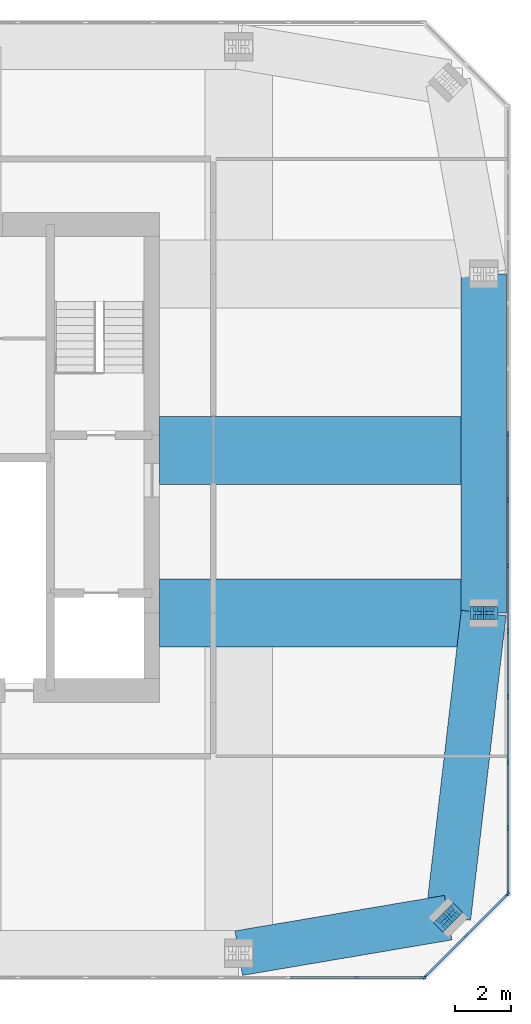
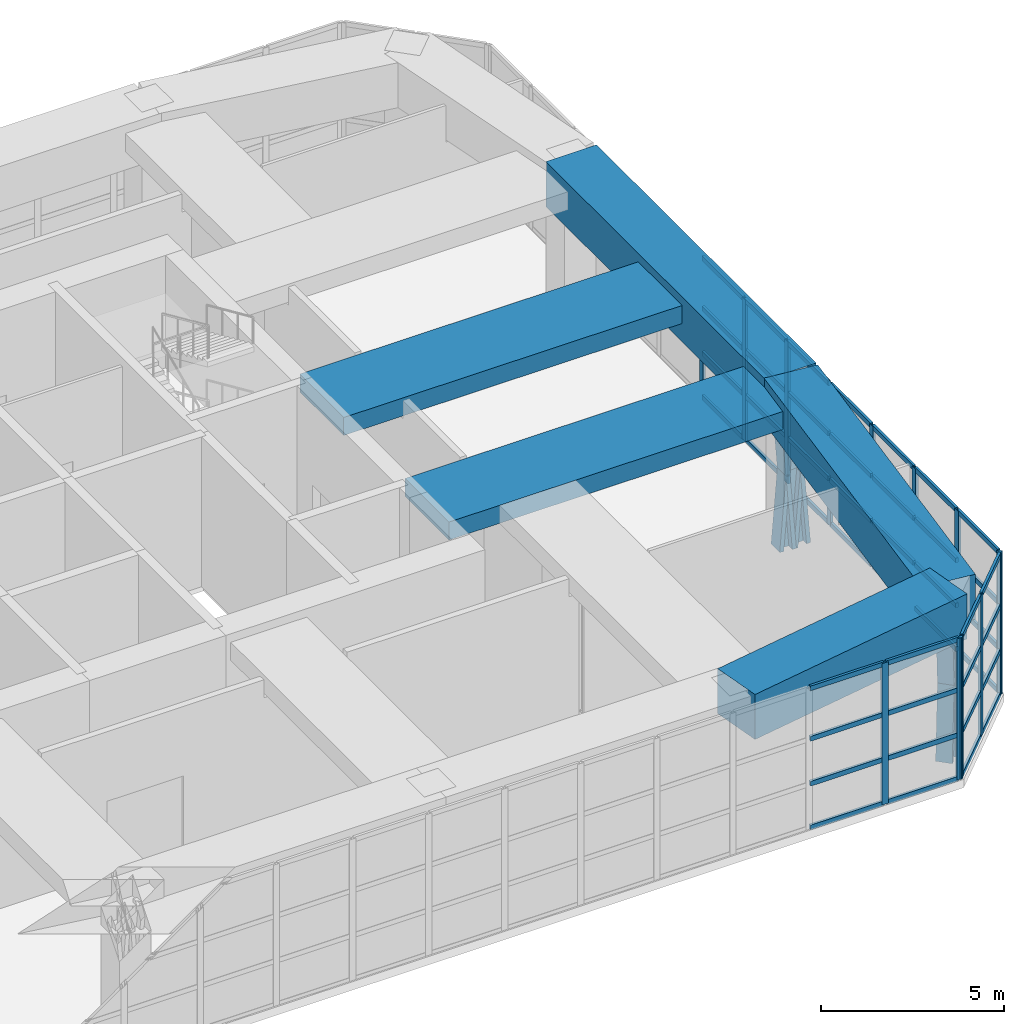
# One storey, part 5 of 14: 65 members, 5 beams, 3 elements without a shape of their own.
"""IFC4 building model written with IfcOpenShell, lengths in metres."""

import ifcopenshell
import ifcopenshell.guid

model = None  # the IFC model being written
_history = None  # IfcOwnerHistory: only IFC2X3 demands one
_inside = {}  # id of a spatial element -> (the spatial element, [elements in it])
_under = {}  # id of a project, library or spatial element -> (it, [spatial elements below it])
_declared = {}  # id of a project -> (the project, [libraries it declares])
_typed = {}  # id of a type object -> (the type object, [elements of that type])
_made_of = {}  # id of a material, layer set ... -> (it, [elements and type objects made of it])


def new_model(schema):
    """Start an empty IFC model of exactly this schema.

    Asked for "IFC4X3", IfcOpenShell would pick the latest addendum, in which some entities
    have other attributes; the version numbers below select the first issue.
    IFC2X3 requires an IfcOwnerHistory on every rooted entity: one is made here for all.
    """
    global model, _history
    if schema == "IFC4X3":
        model = ifcopenshell.file(schema_version=(4, 3, 0, 0))
    else:
        model = ifcopenshell.file(schema=schema)
    _inside.clear()
    _under.clear()
    _declared.clear()
    _typed.clear()
    _made_of.clear()
    _history = None
    if model.schema == "IFC2X3":
        org = make("IfcOrganization", Name="unknown")
        user = make(
            "IfcPersonAndOrganization",
            ThePerson=make("IfcPerson", FamilyName="unknown"),
            TheOrganization=org,
        )
        app = make(
            "IfcApplication",
            ApplicationDeveloper=org,
            Version="unknown",
            ApplicationFullName="unknown",
            ApplicationIdentifier="unknown",
        )
        _history = make(
            "IfcOwnerHistory",
            OwningUser=user,
            OwningApplication=app,
            ChangeAction="ADDED",
            CreationDate=0,
        )
    return model


def make(cls, **values):
    """One entity of the class cls with the attributes given. An attribute that is None is left unset."""
    return model.create_entity(
        cls, **{name: value for name, value in values.items() if value is not None}
    )


def rooted(cls, **values):
    """An entity with a GlobalId (a new one), such as an element, a storey or a relation."""
    return make(cls, GlobalId=ifcopenshell.guid.new(), OwnerHistory=_history, **values)


def si_unit(unit_type, name, prefix=None):
    """IfcSIUnit, for example si_unit("LENGTHUNIT", "METRE", prefix="MILLI")."""
    return make("IfcSIUnit", UnitType=unit_type, Prefix=prefix, Name=name)


def assignment(units):
    """IfcUnitAssignment: the units of a project."""
    return None if units is None else make("IfcUnitAssignment", Units=units)


def point(xyz):
    """IfcCartesianPoint."""
    return None if xyz is None else make("IfcCartesianPoint", Coordinates=xyz)


def direction(xyz):
    """IfcDirection."""
    return None if xyz is None else make("IfcDirection", DirectionRatios=xyz)


def frame(location, z_axis=None, x_axis=None):
    """IfcAxis2Placement3D, a coordinate frame: its origin and axes. An axis left out is left unset."""
    return make(
        "IfcAxis2Placement3D",
        Location=point(location),
        Axis=direction(z_axis),
        RefDirection=direction(x_axis),
    )


def frame_2d(location, x_axis=None):
    """IfcAxis2Placement2D, a coordinate frame in the plane: its origin and x axis."""
    return make(
        "IfcAxis2Placement2D", Location=point(location), RefDirection=direction(x_axis)
    )


def origin():
    """The frame at (0, 0, 0) with its axes left unset."""
    return frame((0.0, 0.0, 0.0))


def origin_2d():
    """The frame at (0, 0) in the plane with its x axis left unset."""
    return frame_2d((0.0, 0.0))


def place(relative_to, where):
    """IfcLocalPlacement: puts the frame where relative to a parent placement (None: the world)."""
    return make(
        "IfcLocalPlacement", PlacementRelTo=relative_to, RelativePlacement=where
    )


def context(
    kind, dimensions, precision=None, world=None, true_north=None, identifier=None
):
    """IfcGeometricRepresentationContext, for example the 3D "Model" context."""
    return make(
        "IfcGeometricRepresentationContext",
        ContextIdentifier=identifier,
        ContextType=kind,
        CoordinateSpaceDimension=dimensions,
        Precision=precision,
        WorldCoordinateSystem=world,
        TrueNorth=true_north,
    )


def subcontext(parent, identifier, kind, view, scale=None):
    """IfcGeometricRepresentationSubContext, for example "Body" below "Model"."""
    return make(
        "IfcGeometricRepresentationSubContext",
        ContextIdentifier=identifier,
        ContextType=kind,
        ParentContext=parent,
        TargetScale=scale,
        TargetView=view,
    )


def project(units=None, contexts=None):
    """IfcProject with its units and contexts."""
    return rooted(
        "IfcProject",
        Name="project",
        RepresentationContexts=contexts,
        UnitsInContext=assignment(units),
    )


def spatial(cls, under=None, at=None, **own):
    """A site, building, storey or space (cls), placed at a placement, below another one or the project."""
    s = rooted(cls, ObjectPlacement=at, **own)
    if under is not None:
        _under.setdefault(under.id(), (under, []))[1].append(s)
    return s


def profile(cls, at=None, kind="AREA", **sizes):
    """A parametric profile (cls). Its sizes go by their IFC names, for example OverallWidth=200.0."""
    return make(cls, ProfileType=kind, Position=at, **sizes)


def rectangle(**sizes):
    """IfcRectangleProfileDef."""
    return profile("IfcRectangleProfileDef", **sizes)


def i_section(**sizes):
    """IfcIShapeProfileDef."""
    return profile("IfcIShapeProfileDef", **sizes)


def extrude(swept, where, along, depth):
    """IfcExtrudedAreaSolid: the profile swept, set in the frame where, extruded along a direction by depth."""
    return make(
        "IfcExtrudedAreaSolid",
        SweptArea=swept,
        Position=where,
        ExtrudedDirection=direction(along),
        Depth=depth,
    )


def shape(context_of_items, identifier, shape_type, items):
    """IfcShapeRepresentation: the items that make up one representation, for example the "Body"."""
    return make(
        "IfcShapeRepresentation",
        ContextOfItems=context_of_items,
        RepresentationIdentifier=identifier,
        RepresentationType=shape_type,
        Items=items,
    )


def material(Name=None, Category=None):
    """IfcMaterial."""
    return make("IfcMaterial", Name=Name, Category=Category)


def material_profile(
    of_material, cross_section, Name=None, Category=None, Priority=None
):
    """IfcMaterialProfile: a cross section and its material."""
    return make(
        "IfcMaterialProfile",
        Name=Name,
        Material=of_material,
        Profile=cross_section,
        Priority=Priority,
        Category=Category,
    )


def profile_set(profiles, Name=None, composite=None):
    """IfcMaterialProfileSet."""
    return make(
        "IfcMaterialProfileSet",
        Name=Name,
        MaterialProfiles=profiles,
        CompositeProfile=composite,
    )


def made_of(thing, what):
    """Note that an element or type object is made of a material, layer set ...; save() writes the relation."""
    if what is not None:
        _made_of.setdefault(what.id(), (what, []))[1].append(thing)
    return thing


def type_object(cls, material=None, **own):
    """A type object (cls), such as IfcWallType, which elements share."""
    return made_of(rooted(cls, **own), material)


def element(
    cls,
    number,
    at=None,
    inside=None,
    cuts=None,
    type_object=None,
    material=None,
    context=None,
    identifier="Body",
    shape_type=None,
    held_by="IfcProductDefinitionShape",
    body=None,
    shapes=None,
    **own,
):
    """One element of the class cls, such as IfcWall. Its Tag is "e" and its number.

    at: its placement. inside: the storey or other place that contains it. cuts: it is an
    opening in that element (IfcRelVoidsElement). A single representation is given by context,
    identifier, shape_type and body (its items); several are given by shapes. held_by: the class
    of the entity that holds the representations. save() writes the other relations.
    """
    e = rooted(cls, Tag="e%d" % number, ObjectPlacement=at, **own)
    if body is not None:
        shapes = [shape(context, identifier, shape_type, body)]
    if shapes is not None:
        e.Representation = make(held_by, Representations=shapes)
    if inside is not None:
        _inside.setdefault(inside.id(), (inside, []))[1].append(e)
    if cuts is not None:
        rooted(
            "IfcRelVoidsElement", RelatingBuildingElement=cuts, RelatedOpeningElement=e
        )
    if type_object is not None:
        _typed.setdefault(type_object.id(), (type_object, []))[1].append(e)
    return made_of(e, material)


def aggregate(whole, parts):
    """IfcRelAggregates: a whole, such as a stair, and the parts it consists of."""
    return rooted("IfcRelAggregates", RelatingObject=whole, RelatedObjects=parts)


def save(model, path):
    """Write the relations noted so far, then the file.

    IfcRelAggregates (storeys below a building ...), IfcRelContainedInSpatialStructure (elements
    in a storey), IfcRelDefinesByType, IfcRelAssociatesMaterial and IfcRelDeclares: one each for
    every whole, place, type object, material and project.
    """
    for whole, parts in _under.values():
        aggregate(whole, parts)
    for where, things in _inside.values():
        rooted(
            "IfcRelContainedInSpatialStructure",
            RelatedElements=things,
            RelatingStructure=where,
        )
    for kind, things in _typed.values():
        rooted("IfcRelDefinesByType", RelatedObjects=things, RelatingType=kind)
    for what, things in _made_of.values():
        rooted("IfcRelAssociatesMaterial", RelatedObjects=things, RelatingMaterial=what)
    for by, libraries in _declared.values():
        rooted("IfcRelDeclares", RelatingContext=by, RelatedDefinitions=libraries)
    model.write(path)


model = new_model("IFC4")

# Units and contexts
model_context = context("Model", 3, precision=1e-05, world=origin(), true_north=direction((0.0, 1.0)))
body_context = subcontext(model_context, "Body", "Model", "MODEL_VIEW")
ifc_project = project(units=[si_unit("LENGTHUNIT", "METRE"), si_unit("AREAUNIT", "SQUARE_METRE"), si_unit("VOLUMEUNIT", "CUBIC_METRE"), si_unit("PLANEANGLEUNIT", "RADIAN"), si_unit("MASSUNIT", "GRAM", prefix="KILO")], contexts=[model_context])

# Site, building, storey
site_placement = place(None, origin())
site = spatial("IfcSite", under=ifc_project, at=site_placement, CompositionType="ELEMENT")
building_placement = place(site_placement, origin())
building = spatial("IfcBuilding", under=site, at=building_placement, Name="Jalousie Tower", CompositionType="ELEMENT")
storey_placement = place(building_placement, frame((0.0, 0.0, 272.75)))
storey = spatial("IfcBuildingStorey", under=building, at=storey_placement, Name="L74", CompositionType="ELEMENT", Elevation=272.75)

# Curtain wall, members
ifc_material_1 = material(Name="Aluminium curtain wall", Category="aluminium")
curtain_wall_type = type_object("IfcCurtainWallType", Name="CROWN LOUVRE WALL", PredefinedType="USERDEFINED", material=ifc_material_1)
curtain_wall_1_placement = place(storey_placement, origin())
curtain_wall_1 = element("IfcCurtainWall", 1, at=curtain_wall_1_placement, inside=storey, type_object=curtain_wall_type, Name="Crown Louvre Wall L74 1", ObjectType="CROWN LOUVRE WALL", PredefinedType="USERDEFINED")
ifc_material_2 = material(Name="Aluminium mullion", Category="aluminium")
ifc_material_profile_1 = material_profile(ifc_material_2, rectangle(XDim=0.080078125, YDim=0.199951171875, at=origin_2d()), Name="MULLION 80x200")
ifc_profile_set_1 = profile_set([ifc_material_profile_1], Name="Aluminium mullion")
member_type_1 = type_object("IfcMemberType", Name="CROWN LOUVRE WALL MULLION", PredefinedType="MULLION", material=ifc_profile_set_1)
member_1_placement = place(storey_placement, frame((51.048828125, 0.08740234375, 0.0), z_axis=(0.0, 0.0, 1.0), x_axis=(0.0, 1.0, 0.0)))
member_1 = element("IfcMember", 2, at=member_1_placement, type_object=member_type_1, Name="CW-L mullion 14", PredefinedType="MULLION", context=body_context, shape_type="SweptSolid", body=[
    extrude(rectangle(XDim=0.080078125, YDim=0.199951171875, at=origin_2d()), origin(), (0.0, 0.0, 1.0), 4.719970703125),
])
member_2_placement = place(storey_placement, frame((53.40869140625, 0.08740234375, 0.0), z_axis=(0.0, 0.0, 1.0), x_axis=(0.0, 1.0, 0.0)))
member_2 = element("IfcMember", 3, at=member_2_placement, type_object=member_type_1, Name="CW-L mullion 15", PredefinedType="MULLION", context=body_context, shape_type="SweptSolid", body=[
    extrude(rectangle(XDim=0.080078125, YDim=0.199951171875, at=origin_2d()), origin(), (0.0, 0.0, 1.0), 4.719970703125),
])

curtain_wall_2_placement = place(storey_placement, origin())
curtain_wall_2 = element("IfcCurtainWall", 4, at=curtain_wall_2_placement, inside=storey, type_object=curtain_wall_type, Name="Crown Louvre Wall L74 2", ObjectType="CROWN LOUVRE WALL", PredefinedType="USERDEFINED")
member_3_placement = place(storey_placement, frame((53.47705078125, 0.11572265625, 0.0), z_axis=(0.0, 0.0, 1.0), x_axis=(-0.707106781187, 0.707106781187, 0.0)))
member_3 = element("IfcMember", 5, at=member_3_placement, type_object=member_type_1, Name="CW-L mullion 1", PredefinedType="MULLION", context=body_context, shape_type="SweptSolid", body=[
    extrude(rectangle(XDim=0.080078125, YDim=0.199951171875, at=origin_2d()), origin(), (0.0, 0.0, 1.0), 4.719970703125),
])
member_4_placement = place(storey_placement, frame((54.9306640625, 1.5693359375, 0.0), z_axis=(0.0, 0.0, 1.0), x_axis=(-0.707106781187, 0.707106781187, 0.0)))
member_4 = element("IfcMember", 6, at=member_4_placement, type_object=member_type_1, Name="CW-L mullion 2", PredefinedType="MULLION", context=body_context, shape_type="SweptSolid", body=[
    extrude(rectangle(XDim=0.080078125, YDim=0.199951171875, at=origin_2d()), origin(), (0.0, 0.0, 1.0), 4.719970703125),
])
member_5_placement = place(storey_placement, frame((56.38427734375, 3.02294921875, 0.0), z_axis=(0.0, 0.0, 1.0), x_axis=(-0.707106781187, 0.707106781187, 0.0)))
member_5 = element("IfcMember", 7, at=member_5_placement, type_object=member_type_1, Name="CW-L mullion 3", PredefinedType="MULLION", context=body_context, shape_type="SweptSolid", body=[
    extrude(rectangle(XDim=0.080078125, YDim=0.199951171875, at=origin_2d()), origin(), (0.0, 0.0, 1.0), 4.719970703125),
])

curtain_wall_3_placement = place(storey_placement, origin())
curtain_wall_3 = element("IfcCurtainWall", 8, at=curtain_wall_3_placement, inside=storey, type_object=curtain_wall_type, Name="Crown Louvre Wall L74 3", ObjectType="CROWN LOUVRE WALL", PredefinedType="USERDEFINED")
member_6_placement = place(storey_placement, frame((56.41259765625, 3.09130859375, 0.0), z_axis=(0.0, 0.0, 1.0), x_axis=(-1.0, 0.0, 0.0)))
member_6 = element("IfcMember", 9, at=member_6_placement, type_object=member_type_1, Name="CW-L mullion 1", PredefinedType="MULLION", context=body_context, shape_type="SweptSolid", body=[
    extrude(rectangle(XDim=0.080078125, YDim=0.199951171875, at=origin_2d()), origin(), (0.0, 0.0, 1.0), 4.719970703125),
])
member_7_placement = place(storey_placement, frame((56.41259765625, 5.3759765625, 0.0), z_axis=(0.0, 0.0, 1.0), x_axis=(-1.0, 0.0, 0.0)))
member_7 = element("IfcMember", 10, at=member_7_placement, type_object=member_type_1, Name="CW-L mullion 2", PredefinedType="MULLION", context=body_context, shape_type="SweptSolid", body=[
    extrude(rectangle(XDim=0.080078125, YDim=0.199951171875, at=origin_2d()), origin(), (0.0, 0.0, 1.0), 4.719970703125),
])
member_8_placement = place(storey_placement, frame((56.41259765625, 7.700927734375, 0.0), z_axis=(0.0, 0.0, 1.0), x_axis=(-1.0, 0.0, 0.0)))
member_8 = element("IfcMember", 11, at=member_8_placement, type_object=member_type_1, Name="CW-L mullion 3", PredefinedType="MULLION", context=body_context, shape_type="SweptSolid", body=[
    extrude(rectangle(XDim=0.080078125, YDim=0.199951171875, at=origin_2d()), origin(), (0.0, 0.0, 1.0), 4.719970703125),
])
member_9_placement = place(storey_placement, frame((56.41259765625, 10.025634765625, 0.0), z_axis=(0.0, 0.0, 1.0), x_axis=(-1.0, 0.0, 0.0)))
member_9 = element("IfcMember", 12, at=member_9_placement, type_object=member_type_1, Name="CW-L mullion 4", PredefinedType="MULLION", context=body_context, shape_type="SweptSolid", body=[
    extrude(rectangle(XDim=0.080078125, YDim=0.199951171875, at=origin_2d()), origin(), (0.0, 0.0, 1.0), 4.719970703125),
])
member_10_placement = place(storey_placement, frame((56.41259765625, 12.350341796875, 0.0), z_axis=(0.0, 0.0, 1.0), x_axis=(-1.0, 0.0, 0.0)))
member_10 = element("IfcMember", 13, at=member_10_placement, type_object=member_type_1, Name="CW-L mullion 5", PredefinedType="MULLION", context=body_context, shape_type="SweptSolid", body=[
    extrude(rectangle(XDim=0.080078125, YDim=0.199951171875, at=origin_2d()), origin(), (0.0, 0.0, 1.0), 4.719970703125),
])
member_11_placement = place(storey_placement, frame((56.41259765625, 14.67529296875, 0.0), z_axis=(0.0, 0.0, 1.0), x_axis=(-1.0, 0.0, 0.0)))
member_11 = element("IfcMember", 14, at=member_11_placement, type_object=member_type_1, Name="CW-L mullion 6", PredefinedType="MULLION", context=body_context, shape_type="SweptSolid", body=[
    extrude(rectangle(XDim=0.080078125, YDim=0.199951171875, at=origin_2d()), origin(), (0.0, 0.0, 1.0), 4.719970703125),
])
member_12_placement = place(storey_placement, frame((56.41259765625, 17.0, 0.0), z_axis=(0.0, 0.0, 1.0), x_axis=(-1.0, 0.0, 0.0)))
member_12 = element("IfcMember", 15, at=member_12_placement, type_object=member_type_1, Name="CW-L mullion 7", PredefinedType="MULLION", context=body_context, shape_type="SweptSolid", body=[
    extrude(rectangle(XDim=0.080078125, YDim=0.199951171875, at=origin_2d()), origin(), (0.0, 0.0, 1.0), 4.719970703125),
])
member_13_placement = place(storey_placement, frame((56.41259765625, 19.32470703125, 0.0), z_axis=(0.0, 0.0, 1.0), x_axis=(-1.0, 0.0, 0.0)))
member_13 = element("IfcMember", 16, at=member_13_placement, type_object=member_type_1, Name="CW-L mullion 8", PredefinedType="MULLION", context=body_context, shape_type="SweptSolid", body=[
    extrude(rectangle(XDim=0.080078125, YDim=0.199951171875, at=origin_2d()), origin(), (0.0, 0.0, 1.0), 4.719970703125),
])

# Member
ifc_material_3 = material(Name="Aluminium transom", Category="aluminium")
ifc_material_profile_2 = material_profile(ifc_material_3, rectangle(XDim=0.080078125, YDim=0.159912109375, at=origin_2d()), Name="TRANSOM 80x160")
ifc_profile_set_2 = profile_set([ifc_material_profile_2], Name="Aluminium transom")
member_type_2 = type_object("IfcMemberType", Name="CROWN LOUVRE WALL TRANSOM", PredefinedType="USERDEFINED", material=ifc_profile_set_2)
member_14_placement = place(storey_placement, frame((48.68896484375, 0.08740234375, 0.0400390625), z_axis=(1.0, 0.0, 0.0), x_axis=(0.0, 1.0, 0.0)))
member_14 = element("IfcMember", 17, at=member_14_placement, type_object=member_type_2, Name="CW-L transom 13.1", ObjectType="TRANSOM", PredefinedType="USERDEFINED", context=body_context, shape_type="SweptSolid", body=[
    extrude(rectangle(XDim=0.080078125, YDim=0.159912109375, at=origin_2d()), origin(), (0.0, 0.0, 1.0), 2.31982421875),
])

member_15_placement = place(storey_placement, frame((48.68896484375, 0.08740234375, 1.5), z_axis=(1.0, 0.0, 0.0), x_axis=(0.0, 1.0, 0.0)))
member_15 = element("IfcMember", 18, at=member_15_placement, type_object=member_type_2, Name="CW-L transom 13.2", ObjectType="TRANSOM", PredefinedType="USERDEFINED", context=body_context, shape_type="SweptSolid", body=[
    extrude(rectangle(XDim=0.080078125, YDim=0.159912109375, at=origin_2d()), origin(), (0.0, 0.0, 1.0), 2.31982421875),
])

member_16_placement = place(storey_placement, frame((48.68896484375, 0.08740234375, 3.0), z_axis=(1.0, 0.0, 0.0), x_axis=(0.0, 1.0, 0.0)))
member_16 = element("IfcMember", 19, at=member_16_placement, type_object=member_type_2, Name="CW-L transom 13.3", ObjectType="TRANSOM", PredefinedType="USERDEFINED", context=body_context, shape_type="SweptSolid", body=[
    extrude(rectangle(XDim=0.080078125, YDim=0.159912109375, at=origin_2d()), origin(), (0.0, 0.0, 1.0), 2.31982421875),
])

member_17_placement = place(storey_placement, frame((48.68896484375, 0.08740234375, 4.679931640625), z_axis=(1.0, 0.0, 0.0), x_axis=(0.0, 1.0, 0.0)))
member_17 = element("IfcMember", 20, at=member_17_placement, type_object=member_type_2, Name="CW-L transom 13.4", ObjectType="TRANSOM", PredefinedType="USERDEFINED", context=body_context, shape_type="SweptSolid", body=[
    extrude(rectangle(XDim=0.080078125, YDim=0.159912109375, at=origin_2d()), origin(), (0.0, 0.0, 1.0), 2.31982421875),
])

member_18_placement = place(storey_placement, frame((51.0888671875, 0.08740234375, 0.0400390625), z_axis=(1.0, 0.0, 0.0), x_axis=(0.0, 1.0, 0.0)))
member_18 = element("IfcMember", 21, at=member_18_placement, type_object=member_type_2, Name="CW-L transom 14.1", ObjectType="TRANSOM", PredefinedType="USERDEFINED", context=body_context, shape_type="SweptSolid", body=[
    extrude(rectangle(XDim=0.080078125, YDim=0.159912109375, at=origin_2d()), origin(), (0.0, 0.0, 1.0), 2.27978515625),
])

member_19_placement = place(storey_placement, frame((51.0888671875, 0.08740234375, 1.5), z_axis=(1.0, 0.0, 0.0), x_axis=(0.0, 1.0, 0.0)))
member_19 = element("IfcMember", 22, at=member_19_placement, type_object=member_type_2, Name="CW-L transom 14.2", ObjectType="TRANSOM", PredefinedType="USERDEFINED", context=body_context, shape_type="SweptSolid", body=[
    extrude(rectangle(XDim=0.080078125, YDim=0.159912109375, at=origin_2d()), origin(), (0.0, 0.0, 1.0), 2.27978515625),
])

member_20_placement = place(storey_placement, frame((51.0888671875, 0.08740234375, 3.0), z_axis=(1.0, 0.0, 0.0), x_axis=(0.0, 1.0, 0.0)))
member_20 = element("IfcMember", 23, at=member_20_placement, type_object=member_type_2, Name="CW-L transom 14.3", ObjectType="TRANSOM", PredefinedType="USERDEFINED", context=body_context, shape_type="SweptSolid", body=[
    extrude(rectangle(XDim=0.080078125, YDim=0.159912109375, at=origin_2d()), origin(), (0.0, 0.0, 1.0), 2.27978515625),
])

member_21_placement = place(storey_placement, frame((51.0888671875, 0.08740234375, 4.679931640625), z_axis=(1.0, 0.0, 0.0), x_axis=(0.0, 1.0, 0.0)))
member_21 = element("IfcMember", 24, at=member_21_placement, type_object=member_type_2, Name="CW-L transom 14.4", ObjectType="TRANSOM", PredefinedType="USERDEFINED", context=body_context, shape_type="SweptSolid", body=[
    extrude(rectangle(XDim=0.080078125, YDim=0.159912109375, at=origin_2d()), origin(), (0.0, 0.0, 1.0), 2.27978515625),
])

aggregate(curtain_wall_1, [member_1, member_2, member_14, member_15, member_16, member_17, member_18, member_19, member_20, member_21])

member_22_placement = place(storey_placement, frame((53.50537109375, 0.14404296875, 0.0400390625), z_axis=(0.707106781187, 0.707106781187, 0.0), x_axis=(-0.707106781187, 0.707106781187, 0.0)))
member_22 = element("IfcMember", 25, at=member_22_placement, type_object=member_type_2, Name="CW-L transom 1.1", ObjectType="TRANSOM", PredefinedType="USERDEFINED", context=body_context, shape_type="SweptSolid", body=[
    extrude(rectangle(XDim=0.080078125, YDim=0.159912109375, at=origin_2d()), origin(), (0.0, 0.0, 1.0), 1.9755859375),
])

member_23_placement = place(storey_placement, frame((53.50537109375, 0.14404296875, 1.5), z_axis=(0.707106781187, 0.707106781187, 0.0), x_axis=(-0.707106781187, 0.707106781187, 0.0)))
member_23 = element("IfcMember", 26, at=member_23_placement, type_object=member_type_2, Name="CW-L transom 1.2", ObjectType="TRANSOM", PredefinedType="USERDEFINED", context=body_context, shape_type="SweptSolid", body=[
    extrude(rectangle(XDim=0.080078125, YDim=0.159912109375, at=origin_2d()), origin(), (0.0, 0.0, 1.0), 1.9755859375),
])

member_24_placement = place(storey_placement, frame((53.50537109375, 0.14404296875, 3.0), z_axis=(0.707106781187, 0.707106781187, 0.0), x_axis=(-0.707106781187, 0.707106781187, 0.0)))
member_24 = element("IfcMember", 27, at=member_24_placement, type_object=member_type_2, Name="CW-L transom 1.3", ObjectType="TRANSOM", PredefinedType="USERDEFINED", context=body_context, shape_type="SweptSolid", body=[
    extrude(rectangle(XDim=0.080078125, YDim=0.159912109375, at=origin_2d()), origin(), (0.0, 0.0, 1.0), 1.9755859375),
])

member_25_placement = place(storey_placement, frame((53.50537109375, 0.14404296875, 4.679931640625), z_axis=(0.707106781187, 0.707106781187, 0.0), x_axis=(-0.707106781187, 0.707106781187, 0.0)))
member_25 = element("IfcMember", 28, at=member_25_placement, type_object=member_type_2, Name="CW-L transom 1.4", ObjectType="TRANSOM", PredefinedType="USERDEFINED", context=body_context, shape_type="SweptSolid", body=[
    extrude(rectangle(XDim=0.080078125, YDim=0.159912109375, at=origin_2d()), origin(), (0.0, 0.0, 1.0), 1.9755859375),
])

member_26_placement = place(storey_placement, frame((54.958984375, 1.59765625, 0.0400390625), z_axis=(0.707106781187, 0.707106781187, 0.0), x_axis=(-0.707106781187, 0.707106781187, 0.0)))
member_26 = element("IfcMember", 29, at=member_26_placement, type_object=member_type_2, Name="CW-L transom 2.1", ObjectType="TRANSOM", PredefinedType="USERDEFINED", context=body_context, shape_type="SweptSolid", body=[
    extrude(rectangle(XDim=0.080078125, YDim=0.159912109375, at=origin_2d()), origin(), (0.0, 0.0, 1.0), 1.9755859375),
])

member_27_placement = place(storey_placement, frame((54.958984375, 1.59765625, 1.5), z_axis=(0.707106781187, 0.707106781187, 0.0), x_axis=(-0.707106781187, 0.707106781187, 0.0)))
member_27 = element("IfcMember", 30, at=member_27_placement, type_object=member_type_2, Name="CW-L transom 2.2", ObjectType="TRANSOM", PredefinedType="USERDEFINED", context=body_context, shape_type="SweptSolid", body=[
    extrude(rectangle(XDim=0.080078125, YDim=0.159912109375, at=origin_2d()), origin(), (0.0, 0.0, 1.0), 1.9755859375),
])

member_28_placement = place(storey_placement, frame((54.958984375, 1.59765625, 3.0), z_axis=(0.707106781187, 0.707106781187, 0.0), x_axis=(-0.707106781187, 0.707106781187, 0.0)))
member_28 = element("IfcMember", 31, at=member_28_placement, type_object=member_type_2, Name="CW-L transom 2.3", ObjectType="TRANSOM", PredefinedType="USERDEFINED", context=body_context, shape_type="SweptSolid", body=[
    extrude(rectangle(XDim=0.080078125, YDim=0.159912109375, at=origin_2d()), origin(), (0.0, 0.0, 1.0), 1.9755859375),
])

member_29_placement = place(storey_placement, frame((54.958984375, 1.59765625, 4.679931640625), z_axis=(0.707106781187, 0.707106781187, 0.0), x_axis=(-0.707106781187, 0.707106781187, 0.0)))
member_29 = element("IfcMember", 32, at=member_29_placement, type_object=member_type_2, Name="CW-L transom 2.4", ObjectType="TRANSOM", PredefinedType="USERDEFINED", context=body_context, shape_type="SweptSolid", body=[
    extrude(rectangle(XDim=0.080078125, YDim=0.159912109375, at=origin_2d()), origin(), (0.0, 0.0, 1.0), 1.9755859375),
])

aggregate(curtain_wall_2, [member_3, member_4, member_5, member_22, member_23, member_24, member_25, member_26, member_27, member_28, member_29])

member_30_placement = place(storey_placement, frame((56.41259765625, 3.13134765625, 0.0400390625), z_axis=(0.0, 1.0, 0.0), x_axis=(-1.0, 0.0, 0.0)))
member_30 = element("IfcMember", 33, at=member_30_placement, type_object=member_type_2, Name="CW-L transom 1.1", ObjectType="TRANSOM", PredefinedType="USERDEFINED", context=body_context, shape_type="SweptSolid", body=[
    extrude(rectangle(XDim=0.080078125, YDim=0.159912109375, at=origin_2d()), origin(), (0.0, 0.0, 1.0), 2.204833984375),
])

member_31_placement = place(storey_placement, frame((56.41259765625, 3.13134765625, 1.5), z_axis=(0.0, 1.0, 0.0), x_axis=(-1.0, 0.0, 0.0)))
member_31 = element("IfcMember", 34, at=member_31_placement, type_object=member_type_2, Name="CW-L transom 1.2", ObjectType="TRANSOM", PredefinedType="USERDEFINED", context=body_context, shape_type="SweptSolid", body=[
    extrude(rectangle(XDim=0.080078125, YDim=0.159912109375, at=origin_2d()), origin(), (0.0, 0.0, 1.0), 2.204833984375),
])

member_32_placement = place(storey_placement, frame((56.41259765625, 3.13134765625, 3.0), z_axis=(0.0, 1.0, 0.0), x_axis=(-1.0, 0.0, 0.0)))
member_32 = element("IfcMember", 35, at=member_32_placement, type_object=member_type_2, Name="CW-L transom 1.3", ObjectType="TRANSOM", PredefinedType="USERDEFINED", context=body_context, shape_type="SweptSolid", body=[
    extrude(rectangle(XDim=0.080078125, YDim=0.159912109375, at=origin_2d()), origin(), (0.0, 0.0, 1.0), 2.204833984375),
])

member_33_placement = place(storey_placement, frame((56.41259765625, 3.13134765625, 4.679931640625), z_axis=(0.0, 1.0, 0.0), x_axis=(-1.0, 0.0, 0.0)))
member_33 = element("IfcMember", 36, at=member_33_placement, type_object=member_type_2, Name="CW-L transom 1.4", ObjectType="TRANSOM", PredefinedType="USERDEFINED", context=body_context, shape_type="SweptSolid", body=[
    extrude(rectangle(XDim=0.080078125, YDim=0.159912109375, at=origin_2d()), origin(), (0.0, 0.0, 1.0), 2.204833984375),
])

member_34_placement = place(storey_placement, frame((56.41259765625, 5.416015625, 0.0400390625), z_axis=(0.0, 1.0, 0.0), x_axis=(-1.0, 0.0, 0.0)))
member_34 = element("IfcMember", 37, at=member_34_placement, type_object=member_type_2, Name="CW-L transom 2.1", ObjectType="TRANSOM", PredefinedType="USERDEFINED", context=body_context, shape_type="SweptSolid", body=[
    extrude(rectangle(XDim=0.080078125, YDim=0.159912109375, at=origin_2d()), origin(), (0.0, 0.0, 1.0), 2.244873046875),
])

member_35_placement = place(storey_placement, frame((56.41259765625, 5.416015625, 1.5), z_axis=(0.0, 1.0, 0.0), x_axis=(-1.0, 0.0, 0.0)))
member_35 = element("IfcMember", 38, at=member_35_placement, type_object=member_type_2, Name="CW-L transom 2.2", ObjectType="TRANSOM", PredefinedType="USERDEFINED", context=body_context, shape_type="SweptSolid", body=[
    extrude(rectangle(XDim=0.080078125, YDim=0.159912109375, at=origin_2d()), origin(), (0.0, 0.0, 1.0), 2.244873046875),
])

member_36_placement = place(storey_placement, frame((56.41259765625, 5.416015625, 3.0), z_axis=(0.0, 1.0, 0.0), x_axis=(-1.0, 0.0, 0.0)))
member_36 = element("IfcMember", 39, at=member_36_placement, type_object=member_type_2, Name="CW-L transom 2.3", ObjectType="TRANSOM", PredefinedType="USERDEFINED", context=body_context, shape_type="SweptSolid", body=[
    extrude(rectangle(XDim=0.080078125, YDim=0.159912109375, at=origin_2d()), origin(), (0.0, 0.0, 1.0), 2.244873046875),
])

member_37_placement = place(storey_placement, frame((56.41259765625, 5.416015625, 4.679931640625), z_axis=(0.0, 1.0, 0.0), x_axis=(-1.0, 0.0, 0.0)))
member_37 = element("IfcMember", 40, at=member_37_placement, type_object=member_type_2, Name="CW-L transom 2.4", ObjectType="TRANSOM", PredefinedType="USERDEFINED", context=body_context, shape_type="SweptSolid", body=[
    extrude(rectangle(XDim=0.080078125, YDim=0.159912109375, at=origin_2d()), origin(), (0.0, 0.0, 1.0), 2.244873046875),
])

member_38_placement = place(storey_placement, frame((56.41259765625, 7.740966796875, 0.0400390625), z_axis=(0.0, 1.0, 0.0), x_axis=(-1.0, 0.0, 0.0)))
member_38 = element("IfcMember", 41, at=member_38_placement, type_object=member_type_2, Name="CW-L transom 3.1", ObjectType="TRANSOM", PredefinedType="USERDEFINED", context=body_context, shape_type="SweptSolid", body=[
    extrude(rectangle(XDim=0.080078125, YDim=0.159912109375, at=origin_2d()), origin(), (0.0, 0.0, 1.0), 2.24462890625),
])

member_39_placement = place(storey_placement, frame((56.41259765625, 7.740966796875, 1.5), z_axis=(0.0, 1.0, 0.0), x_axis=(-1.0, 0.0, 0.0)))
member_39 = element("IfcMember", 42, at=member_39_placement, type_object=member_type_2, Name="CW-L transom 3.2", ObjectType="TRANSOM", PredefinedType="USERDEFINED", context=body_context, shape_type="SweptSolid", body=[
    extrude(rectangle(XDim=0.080078125, YDim=0.159912109375, at=origin_2d()), origin(), (0.0, 0.0, 1.0), 2.24462890625),
])

member_40_placement = place(storey_placement, frame((56.41259765625, 7.740966796875, 3.0), z_axis=(0.0, 1.0, 0.0), x_axis=(-1.0, 0.0, 0.0)))
member_40 = element("IfcMember", 43, at=member_40_placement, type_object=member_type_2, Name="CW-L transom 3.3", ObjectType="TRANSOM", PredefinedType="USERDEFINED", context=body_context, shape_type="SweptSolid", body=[
    extrude(rectangle(XDim=0.080078125, YDim=0.159912109375, at=origin_2d()), origin(), (0.0, 0.0, 1.0), 2.24462890625),
])

member_41_placement = place(storey_placement, frame((56.41259765625, 7.740966796875, 4.679931640625), z_axis=(0.0, 1.0, 0.0), x_axis=(-1.0, 0.0, 0.0)))
member_41 = element("IfcMember", 44, at=member_41_placement, type_object=member_type_2, Name="CW-L transom 3.4", ObjectType="TRANSOM", PredefinedType="USERDEFINED", context=body_context, shape_type="SweptSolid", body=[
    extrude(rectangle(XDim=0.080078125, YDim=0.159912109375, at=origin_2d()), origin(), (0.0, 0.0, 1.0), 2.24462890625),
])

member_42_placement = place(storey_placement, frame((56.41259765625, 10.065673828125, 0.0400390625), z_axis=(0.0, 1.0, 0.0), x_axis=(-1.0, 0.0, 0.0)))
member_42 = element("IfcMember", 45, at=member_42_placement, type_object=member_type_2, Name="CW-L transom 4.1", ObjectType="TRANSOM", PredefinedType="USERDEFINED", context=body_context, shape_type="SweptSolid", body=[
    extrude(rectangle(XDim=0.080078125, YDim=0.159912109375, at=origin_2d()), origin(), (0.0, 0.0, 1.0), 2.244873046875),
])

member_43_placement = place(storey_placement, frame((56.41259765625, 10.065673828125, 1.5), z_axis=(0.0, 1.0, 0.0), x_axis=(-1.0, 0.0, 0.0)))
member_43 = element("IfcMember", 46, at=member_43_placement, type_object=member_type_2, Name="CW-L transom 4.2", ObjectType="TRANSOM", PredefinedType="USERDEFINED", context=body_context, shape_type="SweptSolid", body=[
    extrude(rectangle(XDim=0.080078125, YDim=0.159912109375, at=origin_2d()), origin(), (0.0, 0.0, 1.0), 2.244873046875),
])

member_44_placement = place(storey_placement, frame((56.41259765625, 10.065673828125, 3.0), z_axis=(0.0, 1.0, 0.0), x_axis=(-1.0, 0.0, 0.0)))
member_44 = element("IfcMember", 47, at=member_44_placement, type_object=member_type_2, Name="CW-L transom 4.3", ObjectType="TRANSOM", PredefinedType="USERDEFINED", context=body_context, shape_type="SweptSolid", body=[
    extrude(rectangle(XDim=0.080078125, YDim=0.159912109375, at=origin_2d()), origin(), (0.0, 0.0, 1.0), 2.244873046875),
])

member_45_placement = place(storey_placement, frame((56.41259765625, 10.065673828125, 4.679931640625), z_axis=(0.0, 1.0, 0.0), x_axis=(-1.0, 0.0, 0.0)))
member_45 = element("IfcMember", 48, at=member_45_placement, type_object=member_type_2, Name="CW-L transom 4.4", ObjectType="TRANSOM", PredefinedType="USERDEFINED", context=body_context, shape_type="SweptSolid", body=[
    extrude(rectangle(XDim=0.080078125, YDim=0.159912109375, at=origin_2d()), origin(), (0.0, 0.0, 1.0), 2.244873046875),
])

member_46_placement = place(storey_placement, frame((56.41259765625, 12.390380859375, 0.0400390625), z_axis=(0.0, 1.0, 0.0), x_axis=(-1.0, 0.0, 0.0)))
member_46 = element("IfcMember", 49, at=member_46_placement, type_object=member_type_2, Name="CW-L transom 5.1", ObjectType="TRANSOM", PredefinedType="USERDEFINED", context=body_context, shape_type="SweptSolid", body=[
    extrude(rectangle(XDim=0.080078125, YDim=0.159912109375, at=origin_2d()), origin(), (0.0, 0.0, 1.0), 2.244873046875),
])

member_47_placement = place(storey_placement, frame((56.41259765625, 12.390380859375, 1.5), z_axis=(0.0, 1.0, 0.0), x_axis=(-1.0, 0.0, 0.0)))
member_47 = element("IfcMember", 50, at=member_47_placement, type_object=member_type_2, Name="CW-L transom 5.2", ObjectType="TRANSOM", PredefinedType="USERDEFINED", context=body_context, shape_type="SweptSolid", body=[
    extrude(rectangle(XDim=0.080078125, YDim=0.159912109375, at=origin_2d()), origin(), (0.0, 0.0, 1.0), 2.244873046875),
])

member_48_placement = place(storey_placement, frame((56.41259765625, 12.390380859375, 3.0), z_axis=(0.0, 1.0, 0.0), x_axis=(-1.0, 0.0, 0.0)))
member_48 = element("IfcMember", 51, at=member_48_placement, type_object=member_type_2, Name="CW-L transom 5.3", ObjectType="TRANSOM", PredefinedType="USERDEFINED", context=body_context, shape_type="SweptSolid", body=[
    extrude(rectangle(XDim=0.080078125, YDim=0.159912109375, at=origin_2d()), origin(), (0.0, 0.0, 1.0), 2.244873046875),
])

member_49_placement = place(storey_placement, frame((56.41259765625, 12.390380859375, 4.679931640625), z_axis=(0.0, 1.0, 0.0), x_axis=(-1.0, 0.0, 0.0)))
member_49 = element("IfcMember", 52, at=member_49_placement, type_object=member_type_2, Name="CW-L transom 5.4", ObjectType="TRANSOM", PredefinedType="USERDEFINED", context=body_context, shape_type="SweptSolid", body=[
    extrude(rectangle(XDim=0.080078125, YDim=0.159912109375, at=origin_2d()), origin(), (0.0, 0.0, 1.0), 2.244873046875),
])

member_50_placement = place(storey_placement, frame((56.41259765625, 14.71533203125, 0.0400390625), z_axis=(0.0, 1.0, 0.0), x_axis=(-1.0, 0.0, 0.0)))
member_50 = element("IfcMember", 53, at=member_50_placement, type_object=member_type_2, Name="CW-L transom 6.1", ObjectType="TRANSOM", PredefinedType="USERDEFINED", context=body_context, shape_type="SweptSolid", body=[
    extrude(rectangle(XDim=0.080078125, YDim=0.159912109375, at=origin_2d()), origin(), (0.0, 0.0, 1.0), 2.24462890625),
])

member_51_placement = place(storey_placement, frame((56.41259765625, 14.71533203125, 1.5), z_axis=(0.0, 1.0, 0.0), x_axis=(-1.0, 0.0, 0.0)))
member_51 = element("IfcMember", 54, at=member_51_placement, type_object=member_type_2, Name="CW-L transom 6.2", ObjectType="TRANSOM", PredefinedType="USERDEFINED", context=body_context, shape_type="SweptSolid", body=[
    extrude(rectangle(XDim=0.080078125, YDim=0.159912109375, at=origin_2d()), origin(), (0.0, 0.0, 1.0), 2.24462890625),
])

member_52_placement = place(storey_placement, frame((56.41259765625, 14.71533203125, 3.0), z_axis=(0.0, 1.0, 0.0), x_axis=(-1.0, 0.0, 0.0)))
member_52 = element("IfcMember", 55, at=member_52_placement, type_object=member_type_2, Name="CW-L transom 6.3", ObjectType="TRANSOM", PredefinedType="USERDEFINED", context=body_context, shape_type="SweptSolid", body=[
    extrude(rectangle(XDim=0.080078125, YDim=0.159912109375, at=origin_2d()), origin(), (0.0, 0.0, 1.0), 2.24462890625),
])

member_53_placement = place(storey_placement, frame((56.41259765625, 14.71533203125, 4.679931640625), z_axis=(0.0, 1.0, 0.0), x_axis=(-1.0, 0.0, 0.0)))
member_53 = element("IfcMember", 56, at=member_53_placement, type_object=member_type_2, Name="CW-L transom 6.4", ObjectType="TRANSOM", PredefinedType="USERDEFINED", context=body_context, shape_type="SweptSolid", body=[
    extrude(rectangle(XDim=0.080078125, YDim=0.159912109375, at=origin_2d()), origin(), (0.0, 0.0, 1.0), 2.24462890625),
])

member_54_placement = place(storey_placement, frame((56.41259765625, 17.0400390625, 0.0400390625), z_axis=(0.0, 1.0, 0.0), x_axis=(-1.0, 0.0, 0.0)))
member_54 = element("IfcMember", 57, at=member_54_placement, type_object=member_type_2, Name="CW-L transom 7.1", ObjectType="TRANSOM", PredefinedType="USERDEFINED", context=body_context, shape_type="SweptSolid", body=[
    extrude(rectangle(XDim=0.080078125, YDim=0.159912109375, at=origin_2d()), origin(), (0.0, 0.0, 1.0), 2.24462890625),
])

member_55_placement = place(storey_placement, frame((56.41259765625, 17.0400390625, 1.5), z_axis=(0.0, 1.0, 0.0), x_axis=(-1.0, 0.0, 0.0)))
member_55 = element("IfcMember", 58, at=member_55_placement, type_object=member_type_2, Name="CW-L transom 7.2", ObjectType="TRANSOM", PredefinedType="USERDEFINED", context=body_context, shape_type="SweptSolid", body=[
    extrude(rectangle(XDim=0.080078125, YDim=0.159912109375, at=origin_2d()), origin(), (0.0, 0.0, 1.0), 2.24462890625),
])

member_56_placement = place(storey_placement, frame((56.41259765625, 17.0400390625, 3.0), z_axis=(0.0, 1.0, 0.0), x_axis=(-1.0, 0.0, 0.0)))
member_56 = element("IfcMember", 59, at=member_56_placement, type_object=member_type_2, Name="CW-L transom 7.3", ObjectType="TRANSOM", PredefinedType="USERDEFINED", context=body_context, shape_type="SweptSolid", body=[
    extrude(rectangle(XDim=0.080078125, YDim=0.159912109375, at=origin_2d()), origin(), (0.0, 0.0, 1.0), 2.24462890625),
])

member_57_placement = place(storey_placement, frame((56.41259765625, 17.0400390625, 4.679931640625), z_axis=(0.0, 1.0, 0.0), x_axis=(-1.0, 0.0, 0.0)))
member_57 = element("IfcMember", 60, at=member_57_placement, type_object=member_type_2, Name="CW-L transom 7.4", ObjectType="TRANSOM", PredefinedType="USERDEFINED", context=body_context, shape_type="SweptSolid", body=[
    extrude(rectangle(XDim=0.080078125, YDim=0.159912109375, at=origin_2d()), origin(), (0.0, 0.0, 1.0), 2.24462890625),
])

aggregate(curtain_wall_3, [member_6, member_7, member_8, member_9, member_10, member_11, member_12, member_13, member_30, member_31, member_32, member_33, member_34, member_35, member_36, member_37, member_38, member_39, member_40, member_41, member_42, member_43, member_44, member_45, member_46, member_47, member_48, member_49, member_50, member_51, member_52, member_53, member_54, member_55, member_56, member_57])

# Members
ifc_material_4 = material(Name="Steel ASTM A992 Grade 50", Category="steel")
ifc_material_profile_3 = material_profile(ifc_material_4, i_section(OverallWidth=0.472412109375, OverallDepth=0.5791015625, WebThickness=0.094970703125, FlangeThickness=0.1298828125, at=origin_2d()), Name="W14X808")
ifc_profile_set_3 = profile_set([ifc_material_profile_3], Name="Steel ASTM A992 Grade 50")
member_type_3 = type_object("IfcMemberType", Name="PERIMETER BRACE W14X808", PredefinedType="BRACE", material=ifc_profile_set_3)
for number, where, z_axis, x_axis, name in (
    (61, (54.151611328125, 2.065673828125, -0.75), (0.056363057148, 0.056363057148, 0.996818143684), (-0.707106781187, 0.707106781187, 0.0), "Perimeter brace 05 L74 part 1"),
    (62, (54.29296875, 2.20703125, 1.75), (0.056363057148, 0.056363057148, 0.996818143684), (-0.707106781187, 0.707106781187, 0.0), "Perimeter brace 05 L74 part 2"),
    (63, (54.434326171875, 2.348388671875, -0.75), (-0.056363057148, -0.056363057148, 0.996818143684), (0.707106781187, -0.707106781187, 0.0), "Perimeter brace 05 L74 part 3"),
    (64, (54.29296875, 2.20703125, 1.75), (-0.056363057148, -0.056363057148, 0.996818143684), (0.707106781187, -0.707106781187, 0.0), "Perimeter brace 05 L74 part 4"),
    (65, (55.35009765625, 13.0, -0.75), (0.079725876999, 0.0, 0.99681682597), (0.0, 1.0, 0.0), "Perimeter brace 06 L74 part 1"),
    (66, (55.550048828125, 13.0, 1.75), (0.079725876999, 0.0, 0.99681682597), (0.0, 1.0, 0.0), "Perimeter brace 06 L74 part 2"),
    (67, (55.75, 13.0, -0.75), (-0.079725876999, 0.0, 0.99681682597), (0.0, -1.0, 0.0), "Perimeter brace 06 L74 part 3"),
    (68, (55.550048828125, 13.0, 1.75), (-0.079725876999, 0.0, 0.99681682597), (0.0, -1.0, 0.0), "Perimeter brace 06 L74 part 4"),
):
    element("IfcMember", number, at=place(storey_placement, frame(where, z_axis=z_axis, x_axis=x_axis)), inside=storey, type_object=member_type_3, Name=name, PredefinedType="BRACE", context=body_context, shape_type="SweptSolid", body=[
        extrude(i_section(OverallWidth=0.472412109375, OverallDepth=0.5791015625, WebThickness=0.094970703125, FlangeThickness=0.1298828125, at=origin_2d()), origin(), (0.0, 0.0, 1.0), 2.508056640625),
    ])

# Beams
ifc_material_5 = material(Name="Concrete f'c 40 MPa", Category="concrete")
ifc_material_profile_4 = material_profile(ifc_material_5, rectangle(XDim=1.60009765625, YDim=1.5, at=origin_2d()), Name="RC 1600x1500")
ifc_profile_set_4 = profile_set([ifc_material_profile_4], Name="Concrete f'c 40 MPa")
beam_type_1 = type_object("IfcBeamType", Name="RC BEAM 1600x1500", PredefinedType="BEAM", material=ifc_profile_set_4)
beam_1_placement = place(storey_placement, frame((46.875, 0.949951171875, 4.25), z_axis=(0.985942997446, 0.167082033105, 0.0), x_axis=(-0.167082033105, 0.985942997446, 0.0)))
element("IfcBeam", 69, at=beam_1_placement, inside=storey, type_object=beam_type_1, Name="Edge band beam 04-05 under RF", PredefinedType="BEAM", context=body_context, shape_type="SweptSolid", body=[
    extrude(rectangle(XDim=1.60009765625, YDim=1.5, at=origin_2d()), origin(), (0.0, 0.0, 1.0), 7.523681640625),
])
beam_2_placement = place(storey_placement, frame((54.29296875, 2.20703125, 4.25), z_axis=(0.115690063472, 0.993285361421, 0.0), x_axis=(-0.993285361421, 0.115690063472, 0.0)))
element("IfcBeam", 70, at=beam_2_placement, inside=storey, type_object=beam_type_1, Name="Edge band beam 05-06 under RF", PredefinedType="BEAM", context=body_context, shape_type="SweptSolid", body=[
    extrude(rectangle(XDim=1.60009765625, YDim=1.5, at=origin_2d()), origin(), (0.0, 0.0, 1.0), 10.865966796875),
])
beam_3_placement = place(storey_placement, frame((55.550048828125, 13.0, 4.25), z_axis=(0.0, 1.0, 0.0), x_axis=(-1.0, 0.0, 0.0)))
element("IfcBeam", 71, at=beam_3_placement, inside=storey, type_object=beam_type_1, Name="Edge band beam 06-07 under RF", PredefinedType="BEAM", context=body_context, shape_type="SweptSolid", body=[
    extrude(rectangle(XDim=1.60009765625, YDim=1.5, at=origin_2d()), origin(), (0.0, 0.0, 1.0), 12.0),
])
ifc_material_6 = material(Name="Concrete f'c 40 MPa", Category="concrete")
ifc_material_profile_5 = material_profile(ifc_material_6, rectangle(XDim=2.39990234375, YDim=0.60009765625, at=origin_2d()), Name="RC 2400x600")
ifc_profile_set_5 = profile_set([ifc_material_profile_5], Name="Concrete f'c 40 MPa")
beam_type_2 = type_object("IfcBeamType", Name="RC BEAM 2400x600", PredefinedType="BEAM", material=ifc_profile_set_5)
beam_4_placement = place(storey_placement, frame((55.550048828125, 13.0, 4.419921875), z_axis=(-1.0, 0.0, 0.0), x_axis=(0.0, -1.0, 0.0)))
element("IfcBeam", 72, at=beam_4_placement, inside=storey, type_object=beam_type_2, Name="Floor band beam under RF", PredefinedType="BEAM", context=body_context, shape_type="SweptSolid", body=[
    extrude(rectangle(XDim=2.39990234375, YDim=0.60009765625, at=origin_2d()), origin(), (0.0, 0.0, 1.0), 11.47509765625),
])
beam_5_placement = place(storey_placement, frame((44.074951171875, 18.75, 4.419921875), z_axis=(1.0, 0.0, 0.0), x_axis=(0.0, 1.0, 0.0)))
element("IfcBeam", 73, at=beam_5_placement, inside=storey, type_object=beam_type_2, Name="Floor band beam under RF", PredefinedType="BEAM", context=body_context, shape_type="SweptSolid", body=[
    extrude(rectangle(XDim=2.39990234375, YDim=0.60009765625, at=origin_2d()), origin(), (0.0, 0.0, 1.0), 10.675048828125),
])

save(model, "model.ifc")
